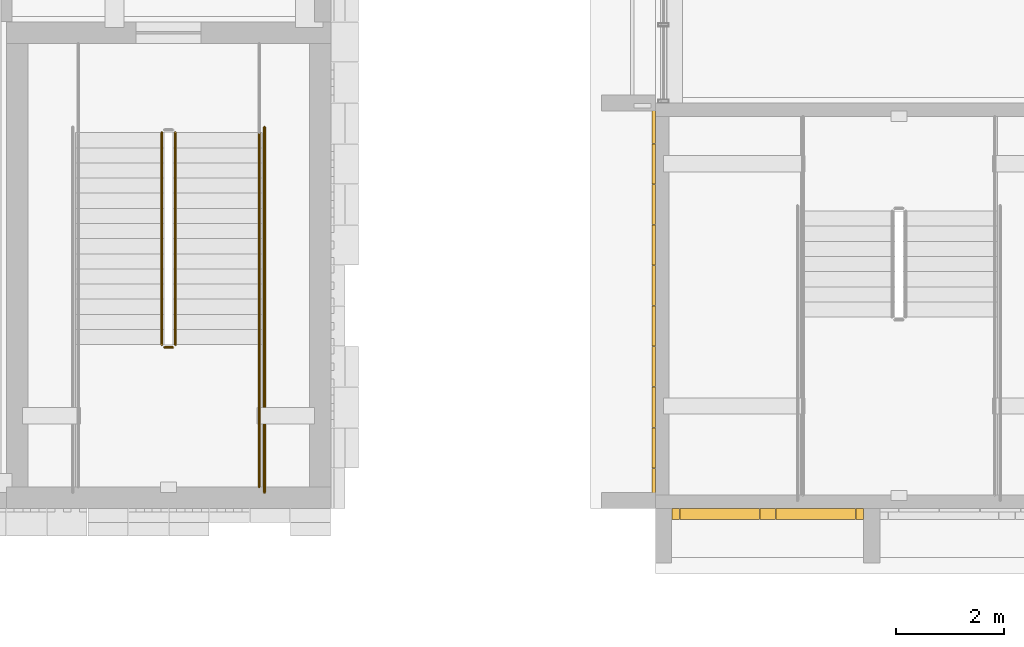
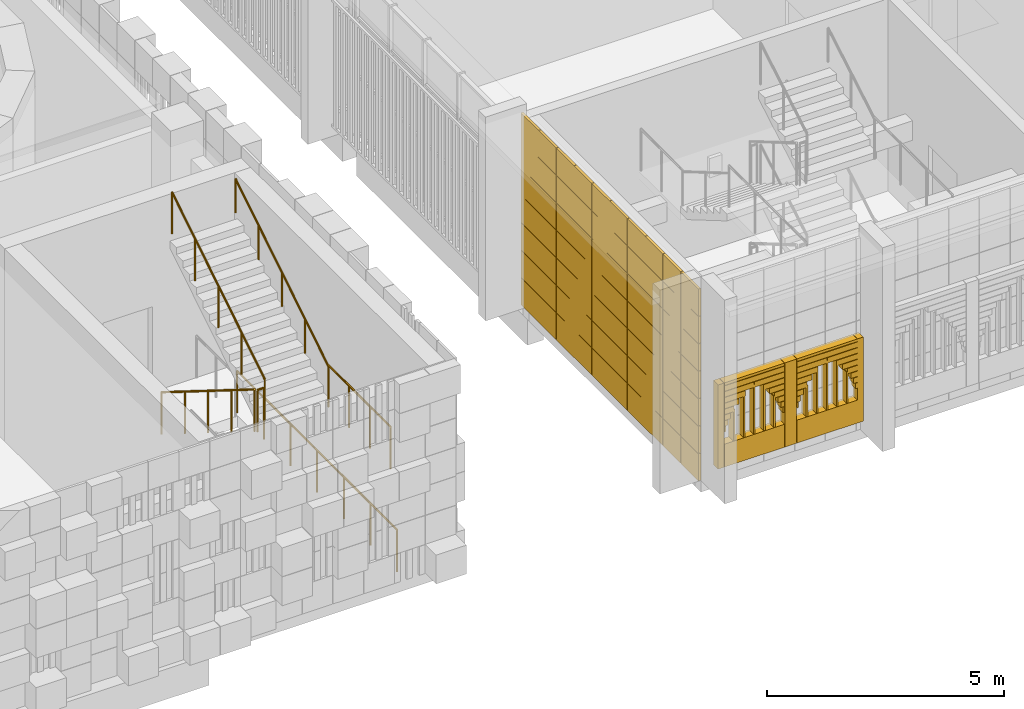
# One storey, part 104 of 125: 6 railings, 2 coverings.
"""IFC4 building model written with IfcOpenShell, lengths in metres."""

from ifc_helpers import new_model, si_unit, direction, frame, origin, origin_2d, place, context, subcontext, project, spatial, rectangle, circle, extrude, material, layer, layer_set, type_object, element, save


model = new_model("IFC4")

# Units and contexts
model_context = context("Model", 3, precision=1e-05, world=origin(), true_north=direction((0.0, 1.0)))
body_context = subcontext(model_context, "Body", "Model", "MODEL_VIEW")
ifc_project = project(units=[si_unit("LENGTHUNIT", "METRE"), si_unit("AREAUNIT", "SQUARE_METRE"), si_unit("VOLUMEUNIT", "CUBIC_METRE"), si_unit("PLANEANGLEUNIT", "RADIAN"), si_unit("MASSUNIT", "GRAM", prefix="KILO")], contexts=[model_context])

# Site, building, storey
site_placement = place(None, origin())
site = spatial("IfcSite", under=ifc_project, at=site_placement, CompositionType="ELEMENT")
building_placement = place(site_placement, origin())
building = spatial("IfcBuilding", under=site, at=building_placement, Name="Sun Court Science Centre", CompositionType="ELEMENT")
storey_placement = place(building_placement, frame((0.0, 0.0, 6.0)))
storey = spatial("IfcBuildingStorey", under=building, at=storey_placement, Name="L01", CompositionType="ELEMENT", Elevation=6.0)

# Covering
ifc_material_1 = material(Name="Red sandstone", Category="masonry")
ifc_layer_1 = layer(ifc_material_1, 0.199951171875)
ifc_layer_set_1 = layer_set([ifc_layer_1], Name="Red sandstone")
covering_type_1 = type_object("IfcCoveringType", Name="Arched jali screen 200", PredefinedType="CLADDING", material=ifc_layer_set_1)
covering_1_placement = place(storey_placement, frame((0.0, 0.0, -6.0)))
element("IfcCovering", 1, at=covering_1_placement, inside=storey, type_object=covering_type_1, Name="Arched jali screen south L01 01", PredefinedType="CLADDING", context=body_context, shape_type="SweptSolid", body=[
    extrude(rectangle(XDim=0.139892578125, YDim=0.199951171875, at=origin_2d()), frame((78.375, 5.89990234375, 6.304931640625), z_axis=(0.0, 0.0, 1.0), x_axis=(1.0, 0.0, 0.0)), (0.0, 0.0, 1.0), 2.16748046875),
    extrude(rectangle(XDim=0.2900390625, YDim=0.199951171875, at=origin_2d()), frame((80.074951171875, 5.89990234375, 6.304931640625), z_axis=(0.0, 0.0, 1.0), x_axis=(1.0, 0.0, 0.0)), (0.0, 0.0, 1.0), 2.16748046875),
    extrude(rectangle(XDim=0.139892578125, YDim=0.199951171875, at=origin_2d()), frame((81.77490234375, 5.89990234375, 6.304931640625), z_axis=(0.0, 0.0, 1.0), x_axis=(1.0, 0.0, 0.0)), (0.0, 0.0, 1.0), 2.16748046875),
    extrude(rectangle(XDim=1.465087890625, YDim=0.199951171875, at=origin_2d()), frame((79.1875, 5.89990234375, 6.30517578125), z_axis=(0.0, 0.0, 1.0), x_axis=(1.0, 0.0, 0.0)), (0.0, 0.0, 1.0), 0.590087890625),
    extrude(rectangle(XDim=0.03857421875, YDim=0.199951171875, at=origin_2d()), frame((78.47412109375, 5.89990234375, 7.205078125), z_axis=(0.0, 0.0, 1.0), x_axis=(1.0, 0.0, 0.0)), (0.0, 0.0, 1.0), 0.139892578125),
    extrude(rectangle(XDim=0.03857421875, YDim=0.199951171875, at=origin_2d()), frame((79.90087890625, 5.89990234375, 7.205078125), z_axis=(0.0, 0.0, 1.0), x_axis=(1.0, 0.0, 0.0)), (0.0, 0.0, 1.0), 0.139892578125),
    extrude(rectangle(XDim=0.086669921875, YDim=0.199951171875, at=origin_2d()), frame((78.498291015625, 5.89990234375, 7.35498046875), z_axis=(0.0, 0.0, 1.0), x_axis=(1.0, 0.0, 0.0)), (0.0, 0.0, 1.0), 0.139892578125),
    extrude(rectangle(XDim=0.086669921875, YDim=0.199951171875, at=origin_2d()), frame((79.876708984375, 5.89990234375, 7.35498046875), z_axis=(0.0, 0.0, 1.0), x_axis=(1.0, 0.0, 0.0)), (0.0, 0.0, 1.0), 0.139892578125),
    extrude(rectangle(XDim=0.153564453125, YDim=0.199951171875, at=origin_2d()), frame((78.53173828125, 5.89990234375, 7.5048828125), z_axis=(0.0, 0.0, 1.0), x_axis=(1.0, 0.0, 0.0)), (0.0, 0.0, 1.0), 0.139892578125),
    extrude(rectangle(XDim=0.153564453125, YDim=0.199951171875, at=origin_2d()), frame((79.84326171875, 5.89990234375, 7.5048828125), z_axis=(0.0, 0.0, 1.0), x_axis=(1.0, 0.0, 0.0)), (0.0, 0.0, 1.0), 0.139892578125),
    extrude(rectangle(XDim=0.2421875, YDim=0.199951171875, at=origin_2d()), frame((78.576171875, 5.89990234375, 7.6552734375), z_axis=(0.0, 0.0, 1.0), x_axis=(1.0, 0.0, 0.0)), (0.0, 0.0, 1.0), 0.139892578125),
    extrude(rectangle(XDim=0.2421875, YDim=0.199951171875, at=origin_2d()), frame((79.798828125, 5.89990234375, 7.6552734375), z_axis=(0.0, 0.0, 1.0), x_axis=(1.0, 0.0, 0.0)), (0.0, 0.0, 1.0), 0.139892578125),
    extrude(rectangle(XDim=0.358154296875, YDim=0.199951171875, at=origin_2d()), frame((78.634033203125, 5.89990234375, 7.80517578125), z_axis=(0.0, 0.0, 1.0), x_axis=(1.0, 0.0, 0.0)), (0.0, 0.0, 1.0), 0.139892578125),
    extrude(rectangle(XDim=0.358154296875, YDim=0.199951171875, at=origin_2d()), frame((79.740966796875, 5.89990234375, 7.80517578125), z_axis=(0.0, 0.0, 1.0), x_axis=(1.0, 0.0, 0.0)), (0.0, 0.0, 1.0), 0.139892578125),
    extrude(rectangle(XDim=0.510986328125, YDim=0.199951171875, at=origin_2d()), frame((78.71044921875, 5.89990234375, 7.955078125), z_axis=(0.0, 0.0, 1.0), x_axis=(1.0, 0.0, 0.0)), (0.0, 0.0, 1.0), 0.139892578125),
    extrude(rectangle(XDim=0.510986328125, YDim=0.199951171875, at=origin_2d()), frame((79.66455078125, 5.89990234375, 7.955078125), z_axis=(0.0, 0.0, 1.0), x_axis=(1.0, 0.0, 0.0)), (0.0, 0.0, 1.0), 0.139892578125),
    extrude(rectangle(XDim=0.723388671875, YDim=0.199951171875, at=origin_2d()), frame((78.816650390625, 5.89990234375, 8.10498046875), z_axis=(0.0, 0.0, 1.0), x_axis=(1.0, 0.0, 0.0)), (0.0, 0.0, 1.0), 0.139892578125),
    extrude(rectangle(XDim=0.723388671875, YDim=0.199951171875, at=origin_2d()), frame((79.558349609375, 5.89990234375, 8.10498046875), z_axis=(0.0, 0.0, 1.0), x_axis=(1.0, 0.0, 0.0)), (0.0, 0.0, 1.0), 0.139892578125),
    extrude(rectangle(XDim=1.465087890625, YDim=0.199951171875, at=origin_2d()), frame((79.1875, 5.89990234375, 8.2548828125), z_axis=(0.0, 0.0, 1.0), x_axis=(1.0, 0.0, 0.0)), (0.0, 0.0, 1.0), 0.139892578125),
    extrude(rectangle(XDim=1.465087890625, YDim=0.199951171875, at=origin_2d()), frame((79.1875, 5.89990234375, 8.405029296875), z_axis=(0.0, 0.0, 1.0), x_axis=(1.0, 0.0, 0.0)), (0.0, 0.0, 1.0), 0.0673828125),
    extrude(rectangle(XDim=0.0400390625, YDim=0.199951171875, at=origin_2d()), frame((78.69580078125, 5.89990234375, 6.90478515625), z_axis=(0.0, 0.0, 1.0), x_axis=(1.0, 0.0, 0.0)), (0.0, 0.0, 1.0), 0.805419921875),
    extrude(rectangle(XDim=0.0400390625, YDim=0.199951171875, at=origin_2d()), frame((78.941650390625, 5.89990234375, 6.905029296875), z_axis=(0.0, 0.0, 1.0), x_axis=(1.0, 0.0, 0.0)), (0.0, 0.0, 1.0), 1.08935546875),
    extrude(rectangle(XDim=0.0400390625, YDim=0.199951171875, at=origin_2d()), frame((79.1875, 5.89990234375, 6.90478515625), z_axis=(0.0, 0.0, 1.0), x_axis=(1.0, 0.0, 0.0)), (0.0, 0.0, 1.0), 1.267333984375),
    extrude(rectangle(XDim=0.0400390625, YDim=0.199951171875, at=origin_2d()), frame((79.433349609375, 5.89990234375, 6.905029296875), z_axis=(0.0, 0.0, 1.0), x_axis=(1.0, 0.0, 0.0)), (0.0, 0.0, 1.0), 1.08935546875),
    extrude(rectangle(XDim=0.0400390625, YDim=0.199951171875, at=origin_2d()), frame((79.67919921875, 5.89990234375, 6.90478515625), z_axis=(0.0, 0.0, 1.0), x_axis=(1.0, 0.0, 0.0)), (0.0, 0.0, 1.0), 0.805419921875),
    extrude(rectangle(XDim=1.465087890625, YDim=0.199951171875, at=origin_2d()), frame((80.96240234375, 5.89990234375, 6.30517578125), z_axis=(0.0, 0.0, 1.0), x_axis=(1.0, 0.0, 0.0)), (0.0, 0.0, 1.0), 0.590087890625),
    extrude(rectangle(XDim=0.03857421875, YDim=0.199951171875, at=origin_2d()), frame((80.249267578125, 5.89990234375, 7.205078125), z_axis=(0.0, 0.0, 1.0), x_axis=(1.0, 0.0, 0.0)), (0.0, 0.0, 1.0), 0.139892578125),
    extrude(rectangle(XDim=0.03857421875, YDim=0.199951171875, at=origin_2d()), frame((81.67578125, 5.89990234375, 7.205078125), z_axis=(0.0, 0.0, 1.0), x_axis=(1.0, 0.0, 0.0)), (0.0, 0.0, 1.0), 0.139892578125),
    extrude(rectangle(XDim=0.086669921875, YDim=0.199951171875, at=origin_2d()), frame((80.273193359375, 5.89990234375, 7.35498046875), z_axis=(0.0, 0.0, 1.0), x_axis=(1.0, 0.0, 0.0)), (0.0, 0.0, 1.0), 0.139892578125),
    extrude(rectangle(XDim=0.086669921875, YDim=0.199951171875, at=origin_2d()), frame((81.651611328125, 5.89990234375, 7.35498046875), z_axis=(0.0, 0.0, 1.0), x_axis=(1.0, 0.0, 0.0)), (0.0, 0.0, 1.0), 0.139892578125),
    extrude(rectangle(XDim=0.153564453125, YDim=0.199951171875, at=origin_2d()), frame((80.306640625, 5.89990234375, 7.5048828125), z_axis=(0.0, 0.0, 1.0), x_axis=(1.0, 0.0, 0.0)), (0.0, 0.0, 1.0), 0.139892578125),
    extrude(rectangle(XDim=0.153564453125, YDim=0.199951171875, at=origin_2d()), frame((81.6181640625, 5.89990234375, 7.5048828125), z_axis=(0.0, 0.0, 1.0), x_axis=(1.0, 0.0, 0.0)), (0.0, 0.0, 1.0), 0.139892578125),
    extrude(rectangle(XDim=0.2421875, YDim=0.199951171875, at=origin_2d()), frame((80.35107421875, 5.89990234375, 7.6552734375), z_axis=(0.0, 0.0, 1.0), x_axis=(1.0, 0.0, 0.0)), (0.0, 0.0, 1.0), 0.139892578125),
    extrude(rectangle(XDim=0.2421875, YDim=0.199951171875, at=origin_2d()), frame((81.57373046875, 5.89990234375, 7.6552734375), z_axis=(0.0, 0.0, 1.0), x_axis=(1.0, 0.0, 0.0)), (0.0, 0.0, 1.0), 0.139892578125),
    extrude(rectangle(XDim=0.358154296875, YDim=0.199951171875, at=origin_2d()), frame((80.4091796875, 5.89990234375, 7.80517578125), z_axis=(0.0, 0.0, 1.0), x_axis=(1.0, 0.0, 0.0)), (0.0, 0.0, 1.0), 0.139892578125),
    extrude(rectangle(XDim=0.358154296875, YDim=0.199951171875, at=origin_2d()), frame((81.515869140625, 5.89990234375, 7.80517578125), z_axis=(0.0, 0.0, 1.0), x_axis=(1.0, 0.0, 0.0)), (0.0, 0.0, 1.0), 0.139892578125),
    extrude(rectangle(XDim=0.510986328125, YDim=0.199951171875, at=origin_2d()), frame((80.485595703125, 5.89990234375, 7.955078125), z_axis=(0.0, 0.0, 1.0), x_axis=(1.0, 0.0, 0.0)), (0.0, 0.0, 1.0), 0.139892578125),
    extrude(rectangle(XDim=0.510986328125, YDim=0.199951171875, at=origin_2d()), frame((81.439453125, 5.89990234375, 7.955078125), z_axis=(0.0, 0.0, 1.0), x_axis=(1.0, 0.0, 0.0)), (0.0, 0.0, 1.0), 0.139892578125),
    extrude(rectangle(XDim=0.723388671875, YDim=0.199951171875, at=origin_2d()), frame((80.591796875, 5.89990234375, 8.10498046875), z_axis=(0.0, 0.0, 1.0), x_axis=(1.0, 0.0, 0.0)), (0.0, 0.0, 1.0), 0.139892578125),
    extrude(rectangle(XDim=0.723388671875, YDim=0.199951171875, at=origin_2d()), frame((81.333251953125, 5.89990234375, 8.10498046875), z_axis=(0.0, 0.0, 1.0), x_axis=(1.0, 0.0, 0.0)), (0.0, 0.0, 1.0), 0.139892578125),
    extrude(rectangle(XDim=1.465087890625, YDim=0.199951171875, at=origin_2d()), frame((80.96240234375, 5.89990234375, 8.2548828125), z_axis=(0.0, 0.0, 1.0), x_axis=(1.0, 0.0, 0.0)), (0.0, 0.0, 1.0), 0.139892578125),
    extrude(rectangle(XDim=1.465087890625, YDim=0.199951171875, at=origin_2d()), frame((80.96240234375, 5.89990234375, 8.405029296875), z_axis=(0.0, 0.0, 1.0), x_axis=(1.0, 0.0, 0.0)), (0.0, 0.0, 1.0), 0.0673828125),
    extrude(rectangle(XDim=0.0400390625, YDim=0.199951171875, at=origin_2d()), frame((80.470947265625, 5.89990234375, 6.90478515625), z_axis=(0.0, 0.0, 1.0), x_axis=(1.0, 0.0, 0.0)), (0.0, 0.0, 1.0), 0.805419921875),
    extrude(rectangle(XDim=0.0400390625, YDim=0.199951171875, at=origin_2d()), frame((80.716552734375, 5.89990234375, 6.905029296875), z_axis=(0.0, 0.0, 1.0), x_axis=(1.0, 0.0, 0.0)), (0.0, 0.0, 1.0), 1.08935546875),
    extrude(rectangle(XDim=0.0400390625, YDim=0.199951171875, at=origin_2d()), frame((80.96240234375, 5.89990234375, 6.90478515625), z_axis=(0.0, 0.0, 1.0), x_axis=(1.0, 0.0, 0.0)), (0.0, 0.0, 1.0), 1.267333984375),
    extrude(rectangle(XDim=0.0400390625, YDim=0.199951171875, at=origin_2d()), frame((81.208251953125, 5.89990234375, 6.905029296875), z_axis=(0.0, 0.0, 1.0), x_axis=(1.0, 0.0, 0.0)), (0.0, 0.0, 1.0), 1.08935546875),
    extrude(rectangle(XDim=0.0400390625, YDim=0.199951171875, at=origin_2d()), frame((81.4541015625, 5.89990234375, 6.90478515625), z_axis=(0.0, 0.0, 1.0), x_axis=(1.0, 0.0, 0.0)), (0.0, 0.0, 1.0), 0.805419921875),
])

# Railings
ifc_material_2 = material(Name="Steel S275", Category="steel")
railing_type_1 = type_object("IfcRailingType", Name="Guard 1100 steel balustrade", PredefinedType="GUARDRAIL", material=ifc_material_2)
railing_1_placement = place(storey_placement, frame((68.875, 12.951904296875, 0.175048828125)))
element("IfcRailing", 2, at=railing_1_placement, inside=storey, type_object=railing_type_1, Name="L01 SB3 stair guard 1", PredefinedType="GUARDRAIL", context=body_context, shape_type="SweptSolid", body=[
    extrude(circle(Radius=0.02392578125, at=origin_2d()), frame((0.0, 0.0, 1.076171875), z_axis=(0.0, -0.847998304005, 0.529998940003), x_axis=(1.0, 0.0, 0.0)), (0.0, 0.0, 1.0), 4.62255859375),
    extrude(circle(Radius=0.02099609375, at=origin_2d()), origin(), (0.0, 0.0, 1.0), 1.052001953125),
    extrude(circle(Radius=0.02099609375, at=origin_2d()), frame((0.0, -0.97998046875, 0.612548828125)), (0.0, 0.0, 1.0), 1.052001953125),
    extrude(circle(Radius=0.02099609375, at=origin_2d()), frame((0.0, -1.9599609375, 1.22509765625)), (0.0, 0.0, 1.0), 1.052001953125),
    extrude(circle(Radius=0.02099609375, at=origin_2d()), frame((0.0, -2.93994140625, 1.83740234375)), (0.0, 0.0, 1.0), 1.052001953125),
    extrude(circle(Radius=0.02099609375, at=origin_2d()), frame((0.0, -3.919921875, 2.449951171875)), (0.0, 0.0, 1.0), 1.052001953125),
])
railing_2_placement = place(storey_placement, frame((68.925048828125, 8.98193359375, 2.625)))
element("IfcRailing", 3, at=railing_2_placement, inside=storey, type_object=railing_type_1, Name="L01 SB3 stair guard 2", PredefinedType="GUARDRAIL", context=body_context, shape_type="SweptSolid", body=[
    extrude(circle(Radius=0.02392578125, at=origin_2d()), frame((0.0, 0.0, 1.076171875), z_axis=(1.0, 0.0, 0.0), x_axis=(0.0, 1.0, 0.0)), (0.0, 0.0, 1.0), 0.14990234375),
    extrude(circle(Radius=0.02099609375, at=origin_2d()), origin(), (0.0, 0.0, 1.0), 1.052001953125),
    extrude(circle(Radius=0.02099609375, at=origin_2d()), frame((0.14990234375, 0.0, 0.0)), (0.0, 0.0, 1.0), 1.052001953125),
])
railing_3_placement = place(storey_placement, frame((70.673095703125, 9.031982421875, 2.625)))
element("IfcRailing", 4, at=railing_3_placement, inside=storey, type_object=railing_type_1, Name="L01 SB3 stair guard 4", PredefinedType="GUARDRAIL", context=body_context, shape_type="SweptSolid", body=[
    extrude(circle(Radius=0.02392578125, at=origin_2d()), frame((0.0, 0.0, 1.076171875), z_axis=(0.0, -1.0, 0.0), x_axis=(1.0, 0.0, 0.0)), (0.0, 0.0, 1.0), 2.632080078125),
    extrude(circle(Radius=0.02099609375, at=origin_2d()), origin(), (0.0, 0.0, 1.0), 1.052001953125),
    extrude(circle(Radius=0.02099609375, at=origin_2d()), frame((0.0, -0.87744140625, 0.0)), (0.0, 0.0, 1.0), 1.052001953125),
    extrude(circle(Radius=0.02099609375, at=origin_2d()), frame((0.0, -1.754638671875, 0.0)), (0.0, 0.0, 1.0), 1.052001953125),
    extrude(circle(Radius=0.02099609375, at=origin_2d()), frame((0.0, -2.632080078125, 0.0)), (0.0, 0.0, 1.0), 1.052001953125),
])
railing_4_placement = place(storey_placement, frame((69.125, 9.031982421875, 2.800048828125)))
element("IfcRailing", 5, at=railing_4_placement, inside=storey, type_object=railing_type_1, Name="L01 SB3 stair guard 5", PredefinedType="GUARDRAIL", context=body_context, shape_type="SweptSolid", body=[
    extrude(circle(Radius=0.02392578125, at=origin_2d()), frame((0.0, 0.0, 1.076171875), z_axis=(0.0, 0.847998304005, 0.529998940003), x_axis=(-1.0, 0.0, 0.0)), (0.0, 0.0, 1.0), 4.62255859375),
    extrude(circle(Radius=0.02099609375, at=origin_2d()), origin(), (0.0, 0.0, 1.0), 1.052001953125),
    extrude(circle(Radius=0.02099609375, at=origin_2d()), frame((0.0, 0.97998046875, 0.612548828125)), (0.0, 0.0, 1.0), 1.052001953125),
    extrude(circle(Radius=0.02099609375, at=origin_2d()), frame((0.0, 1.9599609375, 1.22509765625)), (0.0, 0.0, 1.0), 1.052001953125),
    extrude(circle(Radius=0.02099609375, at=origin_2d()), frame((0.0, 2.93994140625, 1.83740234375)), (0.0, 0.0, 1.0), 1.052001953125),
    extrude(circle(Radius=0.02099609375, at=origin_2d()), frame((0.0, 3.919921875, 2.449951171875)), (0.0, 0.0, 1.0), 1.052001953125),
])
railing_5_placement = place(storey_placement, frame((70.77294921875, 13.052001953125, 0.0)))
element("IfcRailing", 6, at=railing_5_placement, inside=storey, type_object=railing_type_1, Name="L01 SB3 stair guard 10", PredefinedType="GUARDRAIL", context=body_context, shape_type="SweptSolid", body=[
    extrude(circle(Radius=0.02392578125, at=origin_2d()), frame((0.0, 0.0, 1.076171875), z_axis=(0.0, -1.0, 0.0), x_axis=(1.0, 0.0, 0.0)), (0.0, 0.0, 1.0), 6.751953125),
    extrude(circle(Radius=0.02099609375, at=origin_2d()), origin(), (0.0, 0.0, 1.0), 1.052001953125),
    extrude(circle(Radius=0.02099609375, at=origin_2d()), frame((0.0, -1.125244140625, 0.0)), (0.0, 0.0, 1.0), 1.052001953125),
    extrude(circle(Radius=0.02099609375, at=origin_2d()), frame((0.0, -2.250732421875, 0.0)), (0.0, 0.0, 1.0), 1.052001953125),
    extrude(circle(Radius=0.02099609375, at=origin_2d()), frame((0.0, -3.3759765625, 0.0)), (0.0, 0.0, 1.0), 1.052001953125),
    extrude(circle(Radius=0.02099609375, at=origin_2d()), frame((0.0, -4.501220703125, 0.0)), (0.0, 0.0, 1.0), 1.052001953125),
    extrude(circle(Radius=0.02099609375, at=origin_2d()), frame((0.0, -5.626708984375, 0.0)), (0.0, 0.0, 1.0), 1.052001953125),
    extrude(circle(Radius=0.02099609375, at=origin_2d()), frame((0.0, -6.751953125, 0.0)), (0.0, 0.0, 1.0), 1.052001953125),
])
ifc_material_3 = material(Name="Stainless steel", Category="steel")
railing_type_2 = type_object("IfcRailingType", Name="Handrail 900 stainless", PredefinedType="HANDRAIL", material=ifc_material_3)
railing_6_placement = place(storey_placement, frame((70.673095703125, 9.031982421875, 2.800048828125)))
element("IfcRailing", 7, at=railing_6_placement, inside=storey, type_object=railing_type_2, Name="L01 SB3 stair handrail 2", PredefinedType="HANDRAIL", context=body_context, shape_type="SweptSolid", body=[
    extrude(circle(Radius=0.02392578125, at=origin_2d()), frame((0.0, 0.0, 0.8759765625), z_axis=(0.0, 0.847998304005, 0.529998940003), x_axis=(-1.0, 0.0, 0.0)), (0.0, 0.0, 1.0), 4.62255859375),
    extrude(circle(Radius=0.02099609375, at=origin_2d()), origin(), (0.0, 0.0, 1.0), 0.851806640625),
    extrude(circle(Radius=0.02099609375, at=origin_2d()), frame((0.0, 0.97998046875, 0.612548828125)), (0.0, 0.0, 1.0), 0.851806640625),
    extrude(circle(Radius=0.02099609375, at=origin_2d()), frame((0.0, 1.9599609375, 1.22509765625)), (0.0, 0.0, 1.0), 0.851806640625),
    extrude(circle(Radius=0.02099609375, at=origin_2d()), frame((0.0, 2.93994140625, 1.83740234375)), (0.0, 0.0, 1.0), 0.851806640625),
    extrude(circle(Radius=0.02099609375, at=origin_2d()), frame((0.0, 3.919921875, 2.449951171875)), (0.0, 0.0, 1.0), 0.851806640625),
])

# Covering
ifc_material_4 = material(Name="Red sandstone", Category="masonry")
ifc_layer_2 = layer(ifc_material_4, 0.06005859375)
ifc_layer_set_2 = layer_set([ifc_layer_2], Name="Red sandstone")
covering_type_2 = type_object("IfcCoveringType", Name="Red sandstone wall cladding 750", PredefinedType="CLADDING", material=ifc_layer_set_2)
covering_2_placement = place(storey_placement, frame((0.0, 0.0, -6.0)))
element("IfcCovering", 8, at=covering_2_placement, inside=storey, type_object=covering_type_2, Name="Red sandstone wall cladding west face L01", PredefinedType="CLADDING", context=body_context, shape_type="SweptSolid", body=[
    extrude(rectangle(XDim=0.739990234375, YDim=0.06005859375, at=origin_2d()), frame((77.969970703125, 6.375, 6.0048828125), z_axis=(0.0, 0.0, 1.0), x_axis=(0.0, 1.0, 0.0)), (0.0, 0.0, 1.0), 0.697021484375),
    extrude(rectangle(XDim=0.739990234375, YDim=0.06005859375, at=origin_2d()), frame((77.969970703125, 7.125, 6.0048828125), z_axis=(0.0, 0.0, 1.0), x_axis=(0.0, 1.0, 0.0)), (0.0, 0.0, 1.0), 0.697021484375),
    extrude(rectangle(XDim=0.739990234375, YDim=0.06005859375, at=origin_2d()), frame((77.969970703125, 7.875, 6.0048828125), z_axis=(0.0, 0.0, 1.0), x_axis=(0.0, 1.0, 0.0)), (0.0, 0.0, 1.0), 0.697021484375),
    extrude(rectangle(XDim=0.739990234375, YDim=0.06005859375, at=origin_2d()), frame((77.969970703125, 8.625, 6.0048828125), z_axis=(0.0, 0.0, 1.0), x_axis=(0.0, 1.0, 0.0)), (0.0, 0.0, 1.0), 0.697021484375),
    extrude(rectangle(XDim=0.739990234375, YDim=0.06005859375, at=origin_2d()), frame((77.969970703125, 9.375, 6.0048828125), z_axis=(0.0, 0.0, 1.0), x_axis=(0.0, 1.0, 0.0)), (0.0, 0.0, 1.0), 0.697021484375),
    extrude(rectangle(XDim=0.739990234375, YDim=0.06005859375, at=origin_2d()), frame((77.969970703125, 10.125, 6.0048828125), z_axis=(0.0, 0.0, 1.0), x_axis=(0.0, 1.0, 0.0)), (0.0, 0.0, 1.0), 0.697021484375),
    extrude(rectangle(XDim=0.739990234375, YDim=0.06005859375, at=origin_2d()), frame((77.969970703125, 10.875, 6.0048828125), z_axis=(0.0, 0.0, 1.0), x_axis=(0.0, 1.0, 0.0)), (0.0, 0.0, 1.0), 0.697021484375),
    extrude(rectangle(XDim=0.739990234375, YDim=0.06005859375, at=origin_2d()), frame((77.969970703125, 11.625, 6.0048828125), z_axis=(0.0, 0.0, 1.0), x_axis=(0.0, 1.0, 0.0)), (0.0, 0.0, 1.0), 0.697021484375),
    extrude(rectangle(XDim=0.739990234375, YDim=0.06005859375, at=origin_2d()), frame((77.969970703125, 12.375, 6.0048828125), z_axis=(0.0, 0.0, 1.0), x_axis=(0.0, 1.0, 0.0)), (0.0, 0.0, 1.0), 0.697021484375),
    extrude(rectangle(XDim=0.739990234375, YDim=0.06005859375, at=origin_2d()), frame((77.969970703125, 13.125, 6.0048828125), z_axis=(0.0, 0.0, 1.0), x_axis=(0.0, 1.0, 0.0)), (0.0, 0.0, 1.0), 0.697021484375),
    extrude(rectangle(XDim=0.739990234375, YDim=0.06005859375, at=origin_2d()), frame((77.969970703125, 6.375, 6.71240234375), z_axis=(0.0, 0.0, 1.0), x_axis=(0.0, 1.0, 0.0)), (0.0, 0.0, 1.0), 0.697021484375),
    extrude(rectangle(XDim=0.739990234375, YDim=0.06005859375, at=origin_2d()), frame((77.969970703125, 7.125, 6.71240234375), z_axis=(0.0, 0.0, 1.0), x_axis=(0.0, 1.0, 0.0)), (0.0, 0.0, 1.0), 0.697021484375),
    extrude(rectangle(XDim=0.739990234375, YDim=0.06005859375, at=origin_2d()), frame((77.969970703125, 7.875, 6.71240234375), z_axis=(0.0, 0.0, 1.0), x_axis=(0.0, 1.0, 0.0)), (0.0, 0.0, 1.0), 0.697021484375),
    extrude(rectangle(XDim=0.739990234375, YDim=0.06005859375, at=origin_2d()), frame((77.969970703125, 8.625, 6.71240234375), z_axis=(0.0, 0.0, 1.0), x_axis=(0.0, 1.0, 0.0)), (0.0, 0.0, 1.0), 0.697021484375),
    extrude(rectangle(XDim=0.739990234375, YDim=0.06005859375, at=origin_2d()), frame((77.969970703125, 9.375, 6.71240234375), z_axis=(0.0, 0.0, 1.0), x_axis=(0.0, 1.0, 0.0)), (0.0, 0.0, 1.0), 0.697021484375),
    extrude(rectangle(XDim=0.739990234375, YDim=0.06005859375, at=origin_2d()), frame((77.969970703125, 10.125, 6.71240234375), z_axis=(0.0, 0.0, 1.0), x_axis=(0.0, 1.0, 0.0)), (0.0, 0.0, 1.0), 0.697021484375),
    extrude(rectangle(XDim=0.739990234375, YDim=0.06005859375, at=origin_2d()), frame((77.969970703125, 10.875, 6.71240234375), z_axis=(0.0, 0.0, 1.0), x_axis=(0.0, 1.0, 0.0)), (0.0, 0.0, 1.0), 0.697021484375),
    extrude(rectangle(XDim=0.739990234375, YDim=0.06005859375, at=origin_2d()), frame((77.969970703125, 11.625, 6.71240234375), z_axis=(0.0, 0.0, 1.0), x_axis=(0.0, 1.0, 0.0)), (0.0, 0.0, 1.0), 0.697021484375),
    extrude(rectangle(XDim=0.739990234375, YDim=0.06005859375, at=origin_2d()), frame((77.969970703125, 12.375, 6.71240234375), z_axis=(0.0, 0.0, 1.0), x_axis=(0.0, 1.0, 0.0)), (0.0, 0.0, 1.0), 0.697021484375),
    extrude(rectangle(XDim=0.739990234375, YDim=0.06005859375, at=origin_2d()), frame((77.969970703125, 13.125, 6.71240234375), z_axis=(0.0, 0.0, 1.0), x_axis=(0.0, 1.0, 0.0)), (0.0, 0.0, 1.0), 0.697021484375),
    extrude(rectangle(XDim=0.739990234375, YDim=0.06005859375, at=origin_2d()), frame((77.969970703125, 6.375, 7.41943359375), z_axis=(0.0, 0.0, 1.0), x_axis=(0.0, 1.0, 0.0)), (0.0, 0.0, 1.0), 0.697021484375),
    extrude(rectangle(XDim=0.739990234375, YDim=0.06005859375, at=origin_2d()), frame((77.969970703125, 7.125, 7.41943359375), z_axis=(0.0, 0.0, 1.0), x_axis=(0.0, 1.0, 0.0)), (0.0, 0.0, 1.0), 0.697021484375),
    extrude(rectangle(XDim=0.739990234375, YDim=0.06005859375, at=origin_2d()), frame((77.969970703125, 7.875, 7.41943359375), z_axis=(0.0, 0.0, 1.0), x_axis=(0.0, 1.0, 0.0)), (0.0, 0.0, 1.0), 0.697021484375),
    extrude(rectangle(XDim=0.739990234375, YDim=0.06005859375, at=origin_2d()), frame((77.969970703125, 8.625, 7.41943359375), z_axis=(0.0, 0.0, 1.0), x_axis=(0.0, 1.0, 0.0)), (0.0, 0.0, 1.0), 0.697021484375),
    extrude(rectangle(XDim=0.739990234375, YDim=0.06005859375, at=origin_2d()), frame((77.969970703125, 9.375, 7.41943359375), z_axis=(0.0, 0.0, 1.0), x_axis=(0.0, 1.0, 0.0)), (0.0, 0.0, 1.0), 0.697021484375),
    extrude(rectangle(XDim=0.739990234375, YDim=0.06005859375, at=origin_2d()), frame((77.969970703125, 10.125, 7.41943359375), z_axis=(0.0, 0.0, 1.0), x_axis=(0.0, 1.0, 0.0)), (0.0, 0.0, 1.0), 0.697021484375),
    extrude(rectangle(XDim=0.739990234375, YDim=0.06005859375, at=origin_2d()), frame((77.969970703125, 10.875, 7.41943359375), z_axis=(0.0, 0.0, 1.0), x_axis=(0.0, 1.0, 0.0)), (0.0, 0.0, 1.0), 0.697021484375),
    extrude(rectangle(XDim=0.739990234375, YDim=0.06005859375, at=origin_2d()), frame((77.969970703125, 11.625, 7.41943359375), z_axis=(0.0, 0.0, 1.0), x_axis=(0.0, 1.0, 0.0)), (0.0, 0.0, 1.0), 0.697021484375),
    extrude(rectangle(XDim=0.739990234375, YDim=0.06005859375, at=origin_2d()), frame((77.969970703125, 12.375, 7.41943359375), z_axis=(0.0, 0.0, 1.0), x_axis=(0.0, 1.0, 0.0)), (0.0, 0.0, 1.0), 0.697021484375),
    extrude(rectangle(XDim=0.739990234375, YDim=0.06005859375, at=origin_2d()), frame((77.969970703125, 13.125, 7.41943359375), z_axis=(0.0, 0.0, 1.0), x_axis=(0.0, 1.0, 0.0)), (0.0, 0.0, 1.0), 0.697021484375),
    extrude(rectangle(XDim=0.739990234375, YDim=0.06005859375, at=origin_2d()), frame((77.969970703125, 6.375, 8.12646484375), z_axis=(0.0, 0.0, 1.0), x_axis=(0.0, 1.0, 0.0)), (0.0, 0.0, 1.0), 0.697021484375),
    extrude(rectangle(XDim=0.739990234375, YDim=0.06005859375, at=origin_2d()), frame((77.969970703125, 7.125, 8.12646484375), z_axis=(0.0, 0.0, 1.0), x_axis=(0.0, 1.0, 0.0)), (0.0, 0.0, 1.0), 0.697021484375),
    extrude(rectangle(XDim=0.739990234375, YDim=0.06005859375, at=origin_2d()), frame((77.969970703125, 7.875, 8.12646484375), z_axis=(0.0, 0.0, 1.0), x_axis=(0.0, 1.0, 0.0)), (0.0, 0.0, 1.0), 0.697021484375),
    extrude(rectangle(XDim=0.739990234375, YDim=0.06005859375, at=origin_2d()), frame((77.969970703125, 8.625, 8.12646484375), z_axis=(0.0, 0.0, 1.0), x_axis=(0.0, 1.0, 0.0)), (0.0, 0.0, 1.0), 0.697021484375),
    extrude(rectangle(XDim=0.739990234375, YDim=0.06005859375, at=origin_2d()), frame((77.969970703125, 9.375, 8.12646484375), z_axis=(0.0, 0.0, 1.0), x_axis=(0.0, 1.0, 0.0)), (0.0, 0.0, 1.0), 0.697021484375),
    extrude(rectangle(XDim=0.739990234375, YDim=0.06005859375, at=origin_2d()), frame((77.969970703125, 10.125, 8.12646484375), z_axis=(0.0, 0.0, 1.0), x_axis=(0.0, 1.0, 0.0)), (0.0, 0.0, 1.0), 0.697021484375),
    extrude(rectangle(XDim=0.739990234375, YDim=0.06005859375, at=origin_2d()), frame((77.969970703125, 10.875, 8.12646484375), z_axis=(0.0, 0.0, 1.0), x_axis=(0.0, 1.0, 0.0)), (0.0, 0.0, 1.0), 0.697021484375),
    extrude(rectangle(XDim=0.739990234375, YDim=0.06005859375, at=origin_2d()), frame((77.969970703125, 11.625, 8.12646484375), z_axis=(0.0, 0.0, 1.0), x_axis=(0.0, 1.0, 0.0)), (0.0, 0.0, 1.0), 0.697021484375),
    extrude(rectangle(XDim=0.739990234375, YDim=0.06005859375, at=origin_2d()), frame((77.969970703125, 12.375, 8.12646484375), z_axis=(0.0, 0.0, 1.0), x_axis=(0.0, 1.0, 0.0)), (0.0, 0.0, 1.0), 0.697021484375),
    extrude(rectangle(XDim=0.739990234375, YDim=0.06005859375, at=origin_2d()), frame((77.969970703125, 13.125, 8.12646484375), z_axis=(0.0, 0.0, 1.0), x_axis=(0.0, 1.0, 0.0)), (0.0, 0.0, 1.0), 0.697021484375),
    extrude(rectangle(XDim=0.739990234375, YDim=0.06005859375, at=origin_2d()), frame((77.969970703125, 6.375, 8.83349609375), z_axis=(0.0, 0.0, 1.0), x_axis=(0.0, 1.0, 0.0)), (0.0, 0.0, 1.0), 0.697021484375),
    extrude(rectangle(XDim=0.739990234375, YDim=0.06005859375, at=origin_2d()), frame((77.969970703125, 7.125, 8.83349609375), z_axis=(0.0, 0.0, 1.0), x_axis=(0.0, 1.0, 0.0)), (0.0, 0.0, 1.0), 0.697021484375),
    extrude(rectangle(XDim=0.739990234375, YDim=0.06005859375, at=origin_2d()), frame((77.969970703125, 7.875, 8.83349609375), z_axis=(0.0, 0.0, 1.0), x_axis=(0.0, 1.0, 0.0)), (0.0, 0.0, 1.0), 0.697021484375),
    extrude(rectangle(XDim=0.739990234375, YDim=0.06005859375, at=origin_2d()), frame((77.969970703125, 8.625, 8.83349609375), z_axis=(0.0, 0.0, 1.0), x_axis=(0.0, 1.0, 0.0)), (0.0, 0.0, 1.0), 0.697021484375),
    extrude(rectangle(XDim=0.739990234375, YDim=0.06005859375, at=origin_2d()), frame((77.969970703125, 9.375, 8.83349609375), z_axis=(0.0, 0.0, 1.0), x_axis=(0.0, 1.0, 0.0)), (0.0, 0.0, 1.0), 0.697021484375),
    extrude(rectangle(XDim=0.739990234375, YDim=0.06005859375, at=origin_2d()), frame((77.969970703125, 10.125, 8.83349609375), z_axis=(0.0, 0.0, 1.0), x_axis=(0.0, 1.0, 0.0)), (0.0, 0.0, 1.0), 0.697021484375),
    extrude(rectangle(XDim=0.739990234375, YDim=0.06005859375, at=origin_2d()), frame((77.969970703125, 10.875, 8.83349609375), z_axis=(0.0, 0.0, 1.0), x_axis=(0.0, 1.0, 0.0)), (0.0, 0.0, 1.0), 0.697021484375),
    extrude(rectangle(XDim=0.739990234375, YDim=0.06005859375, at=origin_2d()), frame((77.969970703125, 11.625, 8.83349609375), z_axis=(0.0, 0.0, 1.0), x_axis=(0.0, 1.0, 0.0)), (0.0, 0.0, 1.0), 0.697021484375),
    extrude(rectangle(XDim=0.739990234375, YDim=0.06005859375, at=origin_2d()), frame((77.969970703125, 12.375, 8.83349609375), z_axis=(0.0, 0.0, 1.0), x_axis=(0.0, 1.0, 0.0)), (0.0, 0.0, 1.0), 0.697021484375),
    extrude(rectangle(XDim=0.739990234375, YDim=0.06005859375, at=origin_2d()), frame((77.969970703125, 13.125, 8.83349609375), z_axis=(0.0, 0.0, 1.0), x_axis=(0.0, 1.0, 0.0)), (0.0, 0.0, 1.0), 0.697021484375),
    extrude(rectangle(XDim=0.739990234375, YDim=0.06005859375, at=origin_2d()), frame((77.969970703125, 6.375, 9.541015625), z_axis=(0.0, 0.0, 1.0), x_axis=(0.0, 1.0, 0.0)), (0.0, 0.0, 1.0), 0.697021484375),
    extrude(rectangle(XDim=0.739990234375, YDim=0.06005859375, at=origin_2d()), frame((77.969970703125, 7.125, 9.541015625), z_axis=(0.0, 0.0, 1.0), x_axis=(0.0, 1.0, 0.0)), (0.0, 0.0, 1.0), 0.697021484375),
    extrude(rectangle(XDim=0.739990234375, YDim=0.06005859375, at=origin_2d()), frame((77.969970703125, 7.875, 9.541015625), z_axis=(0.0, 0.0, 1.0), x_axis=(0.0, 1.0, 0.0)), (0.0, 0.0, 1.0), 0.697021484375),
    extrude(rectangle(XDim=0.739990234375, YDim=0.06005859375, at=origin_2d()), frame((77.969970703125, 8.625, 9.541015625), z_axis=(0.0, 0.0, 1.0), x_axis=(0.0, 1.0, 0.0)), (0.0, 0.0, 1.0), 0.697021484375),
    extrude(rectangle(XDim=0.739990234375, YDim=0.06005859375, at=origin_2d()), frame((77.969970703125, 9.375, 9.541015625), z_axis=(0.0, 0.0, 1.0), x_axis=(0.0, 1.0, 0.0)), (0.0, 0.0, 1.0), 0.697021484375),
    extrude(rectangle(XDim=0.739990234375, YDim=0.06005859375, at=origin_2d()), frame((77.969970703125, 10.125, 9.541015625), z_axis=(0.0, 0.0, 1.0), x_axis=(0.0, 1.0, 0.0)), (0.0, 0.0, 1.0), 0.697021484375),
    extrude(rectangle(XDim=0.739990234375, YDim=0.06005859375, at=origin_2d()), frame((77.969970703125, 10.875, 9.541015625), z_axis=(0.0, 0.0, 1.0), x_axis=(0.0, 1.0, 0.0)), (0.0, 0.0, 1.0), 0.697021484375),
    extrude(rectangle(XDim=0.739990234375, YDim=0.06005859375, at=origin_2d()), frame((77.969970703125, 11.625, 9.541015625), z_axis=(0.0, 0.0, 1.0), x_axis=(0.0, 1.0, 0.0)), (0.0, 0.0, 1.0), 0.697021484375),
    extrude(rectangle(XDim=0.739990234375, YDim=0.06005859375, at=origin_2d()), frame((77.969970703125, 12.375, 9.541015625), z_axis=(0.0, 0.0, 1.0), x_axis=(0.0, 1.0, 0.0)), (0.0, 0.0, 1.0), 0.697021484375),
    extrude(rectangle(XDim=0.739990234375, YDim=0.06005859375, at=origin_2d()), frame((77.969970703125, 13.125, 9.541015625), z_axis=(0.0, 0.0, 1.0), x_axis=(0.0, 1.0, 0.0)), (0.0, 0.0, 1.0), 0.697021484375),
    extrude(rectangle(XDim=0.739990234375, YDim=0.06005859375, at=origin_2d()), frame((77.969970703125, 6.375, 10.248046875), z_axis=(0.0, 0.0, 1.0), x_axis=(0.0, 1.0, 0.0)), (0.0, 0.0, 1.0), 0.697021484375),
    extrude(rectangle(XDim=0.739990234375, YDim=0.06005859375, at=origin_2d()), frame((77.969970703125, 7.125, 10.248046875), z_axis=(0.0, 0.0, 1.0), x_axis=(0.0, 1.0, 0.0)), (0.0, 0.0, 1.0), 0.697021484375),
    extrude(rectangle(XDim=0.739990234375, YDim=0.06005859375, at=origin_2d()), frame((77.969970703125, 7.875, 10.248046875), z_axis=(0.0, 0.0, 1.0), x_axis=(0.0, 1.0, 0.0)), (0.0, 0.0, 1.0), 0.697021484375),
    extrude(rectangle(XDim=0.739990234375, YDim=0.06005859375, at=origin_2d()), frame((77.969970703125, 8.625, 10.248046875), z_axis=(0.0, 0.0, 1.0), x_axis=(0.0, 1.0, 0.0)), (0.0, 0.0, 1.0), 0.697021484375),
    extrude(rectangle(XDim=0.739990234375, YDim=0.06005859375, at=origin_2d()), frame((77.969970703125, 9.375, 10.248046875), z_axis=(0.0, 0.0, 1.0), x_axis=(0.0, 1.0, 0.0)), (0.0, 0.0, 1.0), 0.697021484375),
    extrude(rectangle(XDim=0.739990234375, YDim=0.06005859375, at=origin_2d()), frame((77.969970703125, 10.125, 10.248046875), z_axis=(0.0, 0.0, 1.0), x_axis=(0.0, 1.0, 0.0)), (0.0, 0.0, 1.0), 0.697021484375),
    extrude(rectangle(XDim=0.739990234375, YDim=0.06005859375, at=origin_2d()), frame((77.969970703125, 10.875, 10.248046875), z_axis=(0.0, 0.0, 1.0), x_axis=(0.0, 1.0, 0.0)), (0.0, 0.0, 1.0), 0.697021484375),
    extrude(rectangle(XDim=0.739990234375, YDim=0.06005859375, at=origin_2d()), frame((77.969970703125, 11.625, 10.248046875), z_axis=(0.0, 0.0, 1.0), x_axis=(0.0, 1.0, 0.0)), (0.0, 0.0, 1.0), 0.697021484375),
    extrude(rectangle(XDim=0.739990234375, YDim=0.06005859375, at=origin_2d()), frame((77.969970703125, 12.375, 10.248046875), z_axis=(0.0, 0.0, 1.0), x_axis=(0.0, 1.0, 0.0)), (0.0, 0.0, 1.0), 0.697021484375),
    extrude(rectangle(XDim=0.739990234375, YDim=0.06005859375, at=origin_2d()), frame((77.969970703125, 13.125, 10.248046875), z_axis=(0.0, 0.0, 1.0), x_axis=(0.0, 1.0, 0.0)), (0.0, 0.0, 1.0), 0.697021484375),
])

save(model, "model.ifc")
